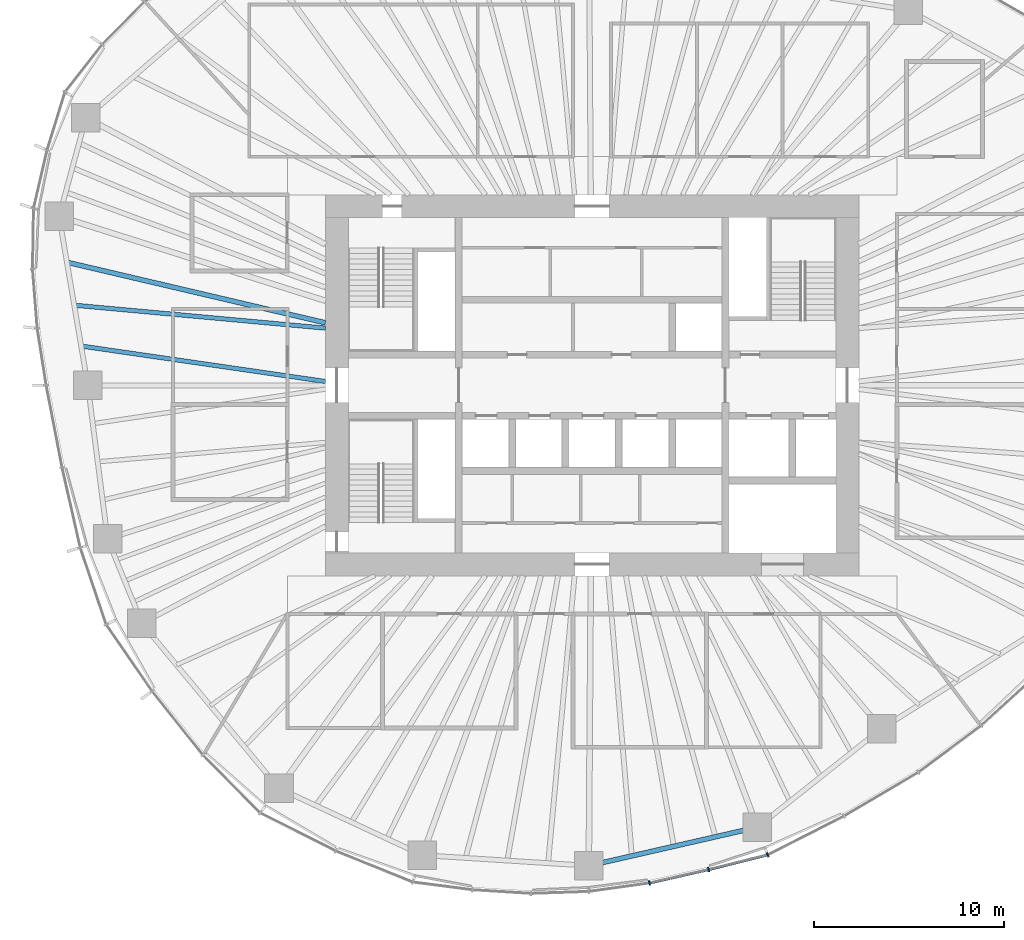
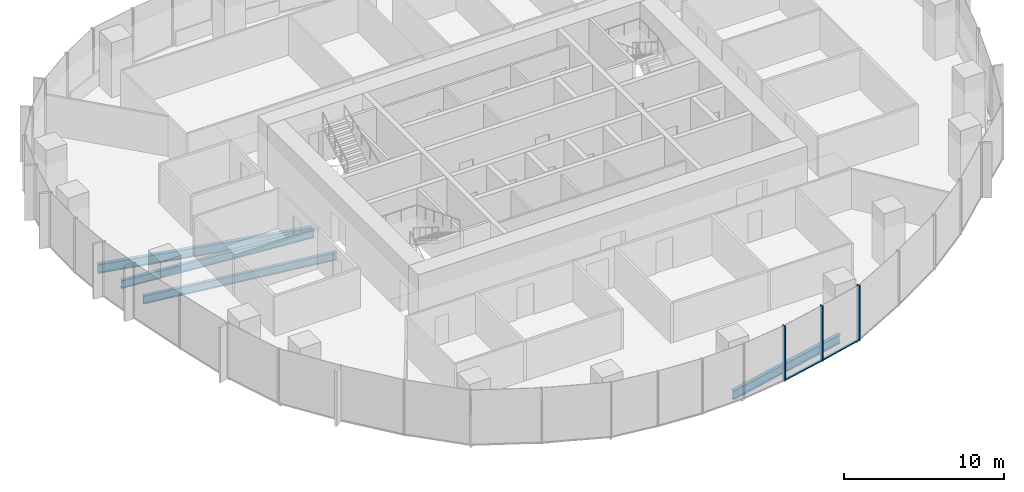
# One storey, part 3 of 18: 5 members, 4 beams, 2 elements without a shape of their own.
"""IFC4 building model written with IfcOpenShell, lengths in metres."""

from ifc_helpers import new_model, si_unit, direction, frame, origin, origin_2d, place, context, subcontext, project, spatial, rectangle, i_section, extrude, material, material_profile, profile_set, type_object, element, aggregate, save


model = new_model("IFC4")

# Units and contexts
model_context = context("Model", 3, precision=1e-05, world=origin(), true_north=direction((0.0, 1.0)))
body_context = subcontext(model_context, "Body", "Model", "MODEL_VIEW")
ifc_project = project(units=[si_unit("LENGTHUNIT", "METRE"), si_unit("AREAUNIT", "SQUARE_METRE"), si_unit("VOLUMEUNIT", "CUBIC_METRE"), si_unit("PLANEANGLEUNIT", "RADIAN"), si_unit("MASSUNIT", "GRAM", prefix="KILO")], contexts=[model_context])

# Site, building, storey
site_placement = place(None, origin())
site = spatial("IfcSite", under=ifc_project, at=site_placement, CompositionType="ELEMENT")
building_placement = place(site_placement, origin())
building = spatial("IfcBuilding", under=site, at=building_placement, Name="Ghaith Harvest Tower", CompositionType="ELEMENT")
storey_placement = place(building_placement, frame((0.0, 0.0, 121.800048828125)))
storey = spatial("IfcBuildingStorey", under=building, at=storey_placement, Name="L25", CompositionType="ELEMENT", Elevation=121.800048828125)

# Curtain wall, members
ifc_material_1 = material(Name="Black anodised aluminium and fritted glass", Category="aluminium")
curtain_wall_type = type_object("IfcCurtainWallType", Name="CW-L CURTAIN WALL", PredefinedType="NOTDEFINED", material=ifc_material_1)
curtain_wall_1_placement = place(storey_placement, origin())
curtain_wall_1 = element("IfcCurtainWall", 1, at=curtain_wall_1_placement, inside=storey, type_object=curtain_wall_type, Name="Curtain wall CW-L bay 16 L25", PredefinedType="NOTDEFINED")
ifc_material_2 = material(Name="Aluminium, black anodised", Category="aluminium")
ifc_material_profile_1 = material_profile(ifc_material_2, rectangle(XDim=0.080078125, YDim=0.239990234375, at=origin_2d()), Name="CW-L MULLION 80x240")
ifc_profile_set_1 = profile_set([ifc_material_profile_1], Name="Aluminium, black anodised")
member_type_1 = type_object("IfcMemberType", Name="CW-L MULLION 80x240", PredefinedType="MULLION", material=ifc_profile_set_1)
member_1_placement = place(storey_placement, frame((3.010009765625, -26.12939453125, 0.0), z_axis=(0.0, 0.0, 1.0), x_axis=(0.983806317978, 0.179234842337, 0.0)))
member_1 = element("IfcMember", 2, at=member_1_placement, type_object=member_type_1, Name="CW-L mullion 2 bay 16 L25", PredefinedType="MULLION", context=body_context, shape_type="SweptSolid", body=[
    extrude(rectangle(XDim=0.080078125, YDim=0.239990234375, at=origin_2d()), origin(), (0.0, 0.0, 1.0), 4.199951171875),
])
member_2_placement = place(storey_placement, frame((6.1201171875, -25.425537109375, 0.0), z_axis=(0.0, 0.0, 1.0), x_axis=(0.972918144681, 0.231149916179, 0.0)))
member_2 = element("IfcMember", 3, at=member_2_placement, type_object=member_type_1, Name="CW-L mullion 3 bay 16 L25", PredefinedType="MULLION", context=body_context, shape_type="SweptSolid", body=[
    extrude(rectangle(XDim=0.080078125, YDim=0.239990234375, at=origin_2d()), origin(), (0.0, 0.0, 1.0), 4.199951171875),
])

# Curtain wall, member
curtain_wall_2_placement = place(storey_placement, origin())
curtain_wall_2 = element("IfcCurtainWall", 4, at=curtain_wall_2_placement, inside=storey, type_object=curtain_wall_type, Name="Curtain wall CW-L bay 17 L25", PredefinedType="NOTDEFINED")
member_3_placement = place(storey_placement, frame((9.216796875, -24.654541015625, 0.0), z_axis=(0.0, 0.0, 1.0), x_axis=(0.929831847154, 0.367984695358, 0.0)))
member_3 = element("IfcMember", 5, at=member_3_placement, type_object=member_type_1, Name="CW-L mullion 1 bay 17 L25", PredefinedType="MULLION", context=body_context, shape_type="SweptSolid", body=[
    extrude(rectangle(XDim=0.080078125, YDim=0.239990234375, at=origin_2d()), origin(), (0.0, 0.0, 1.0), 4.199951171875),
])
aggregate(curtain_wall_2, [member_3])

# Member
ifc_material_3 = material(Name="Aluminium, black anodised", Category="aluminium")
ifc_material_profile_2 = material_profile(ifc_material_3, rectangle(XDim=0.14990234375, YDim=0.080078125, at=origin_2d()), Name="CW-L TRANSOM 150x80")
ifc_profile_set_2 = profile_set([ifc_material_profile_2], Name="Aluminium, black anodised")
member_type_2 = type_object("IfcMemberType", Name="CW-L TRANSOM 150x80", PredefinedType="USERDEFINED", material=ifc_profile_set_2)
member_4_placement = place(storey_placement, frame((3.048828125, -26.120361328125, 0.0400390625), z_axis=(0.975352213651, 0.22065370907, 0.0), x_axis=(-0.22065370907, 0.975352213651, 0.0)))
member_4 = element("IfcMember", 6, at=member_4_placement, type_object=member_type_2, Name="CW-L transom 2 bay 16 L25", ObjectType="TRANSOM", PredefinedType="USERDEFINED", context=body_context, shape_type="SweptSolid", body=[
    extrude(rectangle(XDim=0.14990234375, YDim=0.080078125, at=origin_2d()), origin(), (0.0, 0.0, 1.0), 3.109130859375),
])

member_5_placement = place(storey_placement, frame((6.158935546875, -25.415771484375, 0.0400390625), z_axis=(0.97039125345, 0.241538434265, 0.0), x_axis=(-0.241538434265, 0.97039125345, 0.0)))
member_5 = element("IfcMember", 7, at=member_5_placement, type_object=member_type_2, Name="CW-L transom 3 bay 16 L25", ObjectType="TRANSOM", PredefinedType="USERDEFINED", context=body_context, shape_type="SweptSolid", body=[
    extrude(rectangle(XDim=0.14990234375, YDim=0.080078125, at=origin_2d()), origin(), (0.0, 0.0, 1.0), 3.111083984375),
])

aggregate(curtain_wall_1, [member_1, member_4, member_2, member_5])

# Beams
ifc_material_4 = material(Name="Steel ASTM A992 Grade 50", Category="steel")
ifc_material_profile_3 = material_profile(ifc_material_4, i_section(OverallWidth=0.25390625, OverallDepth=0.68408203125, WebThickness=0.012451171875, FlangeThickness=0.018798828125, at=origin_2d()), Name="W690X140")
ifc_profile_set_3 = profile_set([ifc_material_profile_3], Name="Steel ASTM A992 Grade 50")
beam_type_1 = type_object("IfcBeamType", Name="E690-140 W690X140", PredefinedType="SPANDREL", material=ifc_profile_set_3)
beam_1_placement = place(storey_placement, frame((-0.173095703125, -25.22412109375, -0.511962890625), z_axis=(0.974881709383, 0.22272326486, 0.0), x_axis=(-0.22272326486, 0.974881709383, 0.0)))
element("IfcBeam", 8, at=beam_1_placement, inside=storey, type_object=beam_type_1, Name="Edge beam E16 L25", PredefinedType="SPANDREL", context=body_context, shape_type="SweptSolid", body=[
    extrude(i_section(OverallWidth=0.25390625, OverallDepth=0.68408203125, WebThickness=0.012451171875, FlangeThickness=0.018798828125, at=origin_2d()), origin(), (0.0, 0.0, 1.0), 9.0751953125),
])
ifc_material_5 = material(Name="Steel ASTM A992 Grade 50", Category="steel")
ifc_material_profile_4 = material_profile(ifc_material_5, i_section(OverallWidth=0.22900390625, OverallDepth=0.612060546875, WebThickness=0.011962890625, FlangeThickness=0.01953125, at=origin_2d()), Name="W610X125")
ifc_profile_set_4 = profile_set([ifc_material_profile_4], Name="Steel ASTM A992 Grade 50")
beam_type_2 = type_object("IfcBeamType", Name="J610-125 W610X125", PredefinedType="JOIST", material=ifc_profile_set_4)
beam_2_placement = place(storey_placement, frame((-14.0, 3.0, -0.47607421875), z_axis=(-0.995849123151, 0.091019360137, 0.0), x_axis=(-0.091019360137, -0.995849123151, 0.0)))
element("IfcBeam", 9, at=beam_2_placement, inside=storey, type_object=beam_type_2, Name="Joist J10.2 L25", PredefinedType="JOIST", context=body_context, shape_type="SweptSolid", body=[
    extrude(i_section(OverallWidth=0.22900390625, OverallDepth=0.612060546875, WebThickness=0.011962890625, FlangeThickness=0.01953125, at=origin_2d()), origin(), (0.0, 0.0, 1.0), 13.2451171875),
])
beam_3_placement = place(storey_placement, frame((-14.0, 0.199951171875, -0.47607421875), z_axis=(-0.989622120656, 0.143694322465, 0.0), x_axis=(-0.143694322465, -0.989622120656, 0.0)))
element("IfcBeam", 10, at=beam_3_placement, inside=storey, type_object=beam_type_2, Name="Joist J10.3 L25", PredefinedType="JOIST", context=body_context, shape_type="SweptSolid", body=[
    extrude(i_section(OverallWidth=0.22900390625, OverallDepth=0.612060546875, WebThickness=0.011962890625, FlangeThickness=0.01953125, at=origin_2d()), origin(), (0.0, 0.0, 1.0), 12.960205078125),
])
ifc_material_6 = material(Name="Steel ASTM A992 Grade 50", Category="steel")
ifc_material_profile_5 = material_profile(ifc_material_6, i_section(OverallWidth=0.25390625, OverallDepth=0.68408203125, WebThickness=0.012451171875, FlangeThickness=0.018798828125, at=origin_2d()), Name="W690X140")
ifc_profile_set_5 = profile_set([ifc_material_profile_5], Name="Steel ASTM A992 Grade 50")
beam_type_3 = type_object("IfcBeamType", Name="J690-140 W690X140", PredefinedType="JOIST", material=ifc_profile_set_5)
beam_4_placement = place(storey_placement, frame((-14.0, 3.280517578125, -0.511962890625), z_axis=(-0.973623240284, 0.228161753978, 0.0), x_axis=(-0.228161753978, -0.973623240284, 0.0)))
element("IfcBeam", 11, at=beam_4_placement, inside=storey, type_object=beam_type_3, Name="Joist J10.1 L25", PredefinedType="JOIST", context=body_context, shape_type="SweptSolid", body=[
    extrude(i_section(OverallWidth=0.25390625, OverallDepth=0.68408203125, WebThickness=0.012451171875, FlangeThickness=0.018798828125, at=origin_2d()), origin(), (0.0, 0.0, 1.0), 13.94140625),
])

save(model, "model.ifc")
